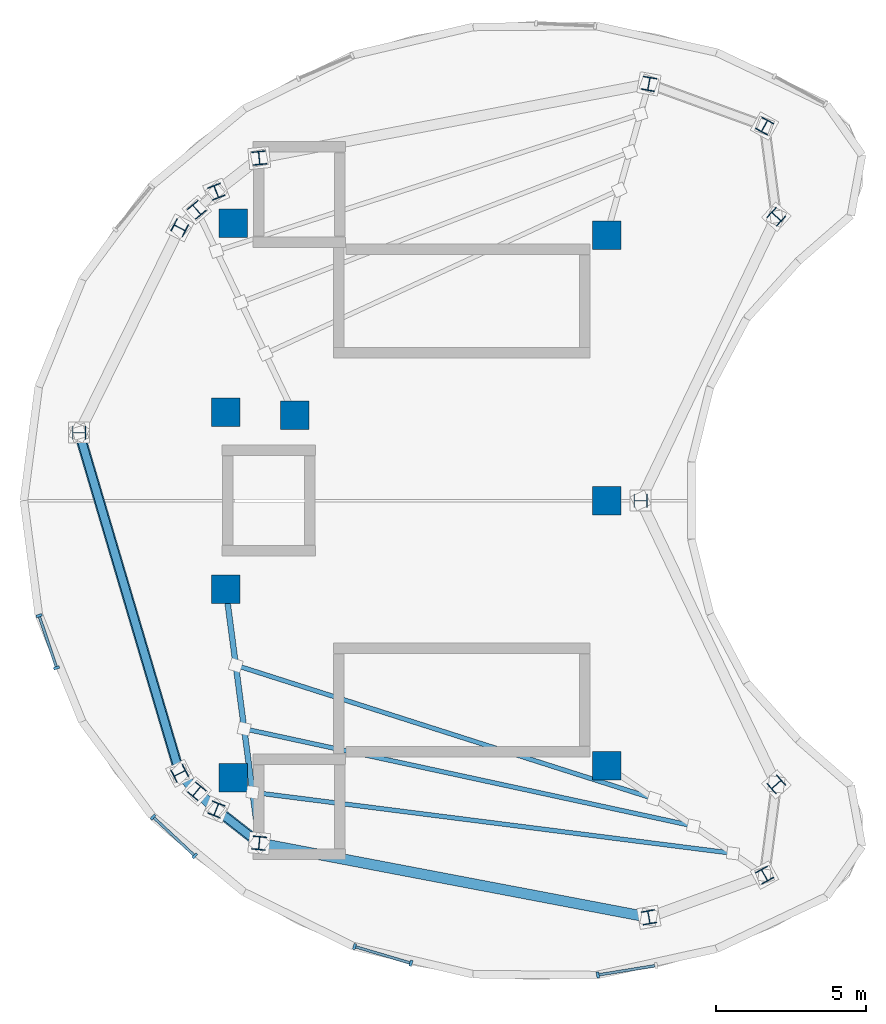
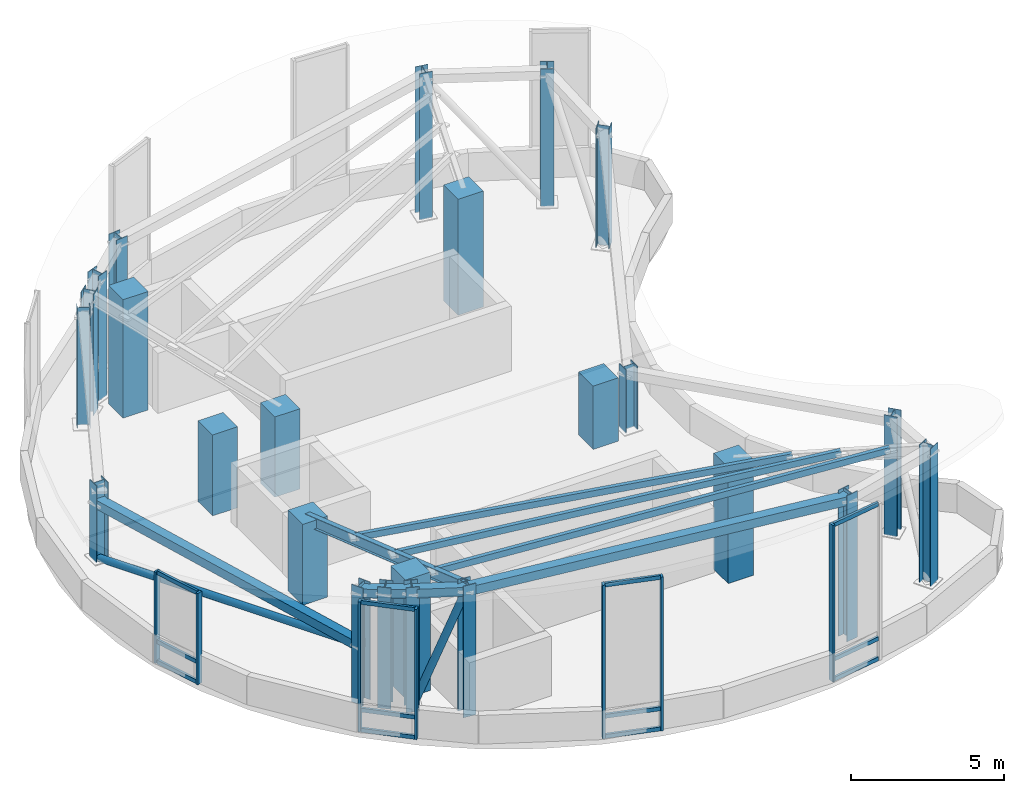
# One storey, part 1 of 4: 24 columns, 24 members, 6 beams, 4 elements without a shape of their own.
"""IFC4 building model written with IfcOpenShell, lengths in metres."""

from ifc_helpers import new_model, si_unit, direction, frame, origin, origin_2d, place, context, subcontext, project, spatial, rectangle, hollow_rectangle, hollow_circle, i_section, extrude, material, layer, layer_set, material_profile, profile_set, type_object, element, aggregate, save


model = new_model("IFC4")

# Units and contexts
model_context = context("Model", 3, precision=1e-05, world=origin(), true_north=direction((0.0, 1.0)))
body_context = subcontext(model_context, "Body", "Model", "MODEL_VIEW")
ifc_project = project(units=[si_unit("LENGTHUNIT", "METRE"), si_unit("AREAUNIT", "SQUARE_METRE"), si_unit("VOLUMEUNIT", "CUBIC_METRE"), si_unit("PLANEANGLEUNIT", "RADIAN"), si_unit("MASSUNIT", "GRAM", prefix="KILO")], contexts=[model_context])

# Site, building, storey
site_placement = place(None, origin())
site = spatial("IfcSite", under=ifc_project, at=site_placement, CompositionType="ELEMENT")
building_placement = place(site_placement, origin())
building = spatial("IfcBuilding", under=site, at=building_placement, Name="Korentha Bioscience Tower", CompositionType="ELEMENT")
storey_placement = place(building_placement, frame((0.0, 0.0, 343.800048828125)))
storey = spatial("IfcBuildingStorey", under=building, at=storey_placement, Name="RF", CompositionType="ELEMENT", Elevation=343.800048828125)

# Columns
ifc_material_1 = material(Name="Concrete C65", Category="concrete")
ifc_material_profile_1 = material_profile(ifc_material_1, rectangle(XDim=0.949951171875, YDim=0.949951171875, at=origin_2d()), Name="Concrete C65")
ifc_profile_set_1 = profile_set([ifc_material_profile_1], Name="Concrete C65 (COL-CP09)")
column_type_1 = type_object("IfcColumnType", Name="Core Pilaster Column RC 950x950", PredefinedType="PILASTER", material=ifc_profile_set_1)
column_1_placement = place(storey_placement, frame((37.550048828125, 35.85009765625, -0.00048828125), z_axis=(0.0, 0.0, 1.0), x_axis=(1.0, 0.0, 0.0)))
element("IfcColumn", 1, at=column_1_placement, inside=storey, type_object=column_type_1, Name="RF Core Pilaster CP-01", PredefinedType="PILASTER", context=body_context, shape_type="SweptSolid", body=[
    extrude(rectangle(XDim=0.949951171875, YDim=0.949951171875, at=origin_2d()), origin(), (0.0, 0.0, 1.0), 4.644287109375),
])
column_2_placement = place(storey_placement, frame((25.10009765625, 36.25, -0.00048828125), z_axis=(0.0, 0.0, 1.0), x_axis=(1.0, 0.0, 0.0)))
element("IfcColumn", 2, at=column_2_placement, inside=storey, type_object=column_type_1, Name="RF Core Pilaster CP-02", PredefinedType="PILASTER", context=body_context, shape_type="SweptSolid", body=[
    extrude(rectangle(XDim=0.949951171875, YDim=0.949951171875, at=origin_2d()), origin(), (0.0, 0.0, 1.0), 4.73974609375),
])
column_3_placement = place(storey_placement, frame((24.85009765625, 29.949951171875, -0.00048828125), z_axis=(0.0, 0.0, 1.0), x_axis=(1.0, 0.0, 0.0)))
element("IfcColumn", 3, at=column_3_placement, inside=storey, type_object=column_type_1, Name="RF Core Pilaster CP-03", PredefinedType="PILASTER", context=body_context, shape_type="SweptSolid", body=[
    extrude(rectangle(XDim=0.949951171875, YDim=0.949951171875, at=origin_2d()), origin(), (0.0, 0.0, 1.0), 3.23681640625),
])
column_4_placement = place(storey_placement, frame((27.14990234375, 29.85009765625, -0.00048828125), z_axis=(0.0, 0.0, 1.0), x_axis=(1.0, 0.0, 0.0)))
element("IfcColumn", 4, at=column_4_placement, inside=storey, type_object=column_type_1, Name="RF Core Pilaster CP-04", PredefinedType="PILASTER", context=body_context, shape_type="SweptSolid", body=[
    extrude(rectangle(XDim=0.949951171875, YDim=0.949951171875, at=origin_2d()), origin(), (0.0, 0.0, 1.0), 3.213134765625),
])
column_5_placement = place(storey_placement, frame((24.85009765625, 24.050048828125, -0.00048828125), z_axis=(0.0, 0.0, 1.0), x_axis=(1.0, 0.0, 0.0)))
element("IfcColumn", 5, at=column_5_placement, inside=storey, type_object=column_type_1, Name="RF Core Pilaster CP-05", PredefinedType="PILASTER", context=body_context, shape_type="SweptSolid", body=[
    extrude(rectangle(XDim=0.949951171875, YDim=0.949951171875, at=origin_2d()), origin(), (0.0, 0.0, 1.0), 3.23681640625),
])
column_6_placement = place(storey_placement, frame((25.10009765625, 17.75, -0.00048828125), z_axis=(0.0, 0.0, 1.0), x_axis=(1.0, 0.0, 0.0)))
element("IfcColumn", 6, at=column_6_placement, inside=storey, type_object=column_type_1, Name="RF Core Pilaster CP-06", PredefinedType="PILASTER", context=body_context, shape_type="SweptSolid", body=[
    extrude(rectangle(XDim=0.949951171875, YDim=0.949951171875, at=origin_2d()), origin(), (0.0, 0.0, 1.0), 4.73974609375),
])
column_7_placement = place(storey_placement, frame((37.550048828125, 18.14990234375, -0.00048828125), z_axis=(0.0, 0.0, 1.0), x_axis=(1.0, 0.0, 0.0)))
element("IfcColumn", 7, at=column_7_placement, inside=storey, type_object=column_type_1, Name="RF Core Pilaster CP-07", PredefinedType="PILASTER", context=body_context, shape_type="SweptSolid", body=[
    extrude(rectangle(XDim=0.949951171875, YDim=0.949951171875, at=origin_2d()), origin(), (0.0, 0.0, 1.0), 4.644287109375),
])
column_8_placement = place(storey_placement, frame((37.550048828125, 27.0, -0.00048828125), z_axis=(0.0, 0.0, 1.0), x_axis=(1.0, 0.0, 0.0)))
element("IfcColumn", 8, at=column_8_placement, inside=storey, type_object=column_type_1, Name="RF Core Pilaster CP-08", PredefinedType="PILASTER", context=body_context, shape_type="SweptSolid", body=[
    extrude(rectangle(XDim=0.949951171875, YDim=0.949951171875, at=origin_2d()), origin(), (0.0, 0.0, 1.0), 2.533203125),
])
ifc_material_2 = material(Name="Steel S355", Category="steel")
ifc_material_profile_2 = material_profile(ifc_material_2, i_section(OverallWidth=0.449951171875, OverallDepth=0.449951171875, WebThickness=0.02001953125, FlangeThickness=0.02490234375, at=origin_2d()), Name="Steel S355")
ifc_profile_set_2 = profile_set([ifc_material_profile_2], Name="Steel S355 (CF-C1)")
column_type_2 = type_object("IfcColumnType", Name="Crown Frame Post CS 450x226", PredefinedType="COLUMN", material=ifc_profile_set_2)
column_9_placement = place(storey_placement, frame((42.8193359375, 39.493896484375, -0.00048828125), z_axis=(0.0, 0.0, 1.0), x_axis=(-0.874535078577, 0.484962262797, 0.0)))
element("IfcColumn", 9, at=column_9_placement, inside=storey, type_object=column_type_2, Name="RF Crown Frame Post 01", PredefinedType="COLUMN", context=body_context, shape_type="SweptSolid", body=[
    extrude(i_section(OverallWidth=0.449951171875, OverallDepth=0.449951171875, WebThickness=0.02001953125, FlangeThickness=0.02490234375, at=origin_2d()), origin(), (0.0, 0.0, 1.0), 5.513427734375),
])
column_10_placement = place(storey_placement, frame((38.962646484375, 40.898193359375, -0.00048828125), z_axis=(0.0, 0.0, 1.0), x_axis=(-0.984868307662, 0.173304404339, 0.0)))
element("IfcColumn", 10, at=column_10_placement, inside=storey, type_object=column_type_2, Name="RF Crown Frame Post 02", PredefinedType="COLUMN", context=body_context, shape_type="SweptSolid", body=[
    extrude(i_section(OverallWidth=0.449951171875, OverallDepth=0.449951171875, WebThickness=0.02001953125, FlangeThickness=0.02490234375, at=origin_2d()), origin(), (0.0, 0.0, 1.0), 5.8486328125),
])
column_11_placement = place(storey_placement, frame((25.9658203125, 38.424560546875, -0.00048828125), z_axis=(0.0, 0.0, 1.0), x_axis=(0.995462868748, 0.095150811579, 0.0)))
element("IfcColumn", 11, at=column_11_placement, inside=storey, type_object=column_type_2, Name="RF Crown Frame Post 03", PredefinedType="COLUMN", context=body_context, shape_type="SweptSolid", body=[
    extrude(i_section(OverallWidth=0.449951171875, OverallDepth=0.449951171875, WebThickness=0.02001953125, FlangeThickness=0.02490234375, at=origin_2d()), origin(), (0.0, 0.0, 1.0), 5.258544921875),
])
column_12_placement = place(storey_placement, frame((24.53271484375, 37.302490234375, -0.00048828125), z_axis=(0.0, 0.0, 1.0), x_axis=(0.930225540858, 0.366988341962, 0.0)))
element("IfcColumn", 12, at=column_12_placement, inside=storey, type_object=column_type_2, Name="RF Crown Frame Post 04", PredefinedType="COLUMN", context=body_context, shape_type="SweptSolid", body=[
    extrude(i_section(OverallWidth=0.449951171875, OverallDepth=0.449951171875, WebThickness=0.02001953125, FlangeThickness=0.02490234375, at=origin_2d()), origin(), (0.0, 0.0, 1.0), 4.99072265625),
])
column_13_placement = place(storey_placement, frame((23.883056640625, 36.6953125, -0.00048828125), z_axis=(0.0, 0.0, 1.0), x_axis=(0.764246456939, 0.644924300253, 0.0)))
element("IfcColumn", 13, at=column_13_placement, inside=storey, type_object=column_type_2, Name="RF Crown Frame Post 05", PredefinedType="COLUMN", context=body_context, shape_type="SweptSolid", body=[
    extrude(i_section(OverallWidth=0.449951171875, OverallDepth=0.449951171875, WebThickness=0.02001953125, FlangeThickness=0.02490234375, at=origin_2d()), origin(), (0.0, 0.0, 1.0), 4.845947265625),
])
column_14_placement = place(storey_placement, frame((23.314697265625, 36.097900390625, -0.00048828125), z_axis=(0.0, 0.0, 1.0), x_axis=(0.453057191132, 0.891481453292, 0.0)))
element("IfcColumn", 14, at=column_14_placement, inside=storey, type_object=column_type_2, Name="RF Crown Frame Post 06", PredefinedType="COLUMN", context=body_context, shape_type="SweptSolid", body=[
    extrude(i_section(OverallWidth=0.449951171875, OverallDepth=0.449951171875, WebThickness=0.02001953125, FlangeThickness=0.02490234375, at=origin_2d()), origin(), (0.0, 0.0, 1.0), 4.703369140625),
])
column_15_placement = place(storey_placement, frame((19.96044921875, 29.26416015625, -0.00048828125), z_axis=(0.0, 0.0, 1.0), x_axis=(0.0, 1.0, 0.0)))
element("IfcColumn", 15, at=column_15_placement, inside=storey, type_object=column_type_2, Name="RF Crown Frame Post 07", PredefinedType="COLUMN", context=body_context, shape_type="SweptSolid", body=[
    extrude(i_section(OverallWidth=0.449951171875, OverallDepth=0.449951171875, WebThickness=0.02001953125, FlangeThickness=0.02490234375, at=origin_2d()), origin(), (0.0, 0.0, 1.0), 3.0732421875),
])
column_16_placement = place(storey_placement, frame((23.314697265625, 17.902099609375, -0.00048828125), z_axis=(0.0, 0.0, 1.0), x_axis=(-0.453057191132, 0.891481453292, 0.0)))
element("IfcColumn", 16, at=column_16_placement, inside=storey, type_object=column_type_2, Name="RF Crown Frame Post 08", PredefinedType="COLUMN", context=body_context, shape_type="SweptSolid", body=[
    extrude(i_section(OverallWidth=0.449951171875, OverallDepth=0.449951171875, WebThickness=0.02001953125, FlangeThickness=0.02490234375, at=origin_2d()), origin(), (0.0, 0.0, 1.0), 4.703369140625),
])
column_17_placement = place(storey_placement, frame((23.883056640625, 17.3046875, -0.00048828125), z_axis=(0.0, 0.0, 1.0), x_axis=(-0.764246456939, 0.644924300253, 0.0)))
element("IfcColumn", 17, at=column_17_placement, inside=storey, type_object=column_type_2, Name="RF Crown Frame Post 09", PredefinedType="COLUMN", context=body_context, shape_type="SweptSolid", body=[
    extrude(i_section(OverallWidth=0.449951171875, OverallDepth=0.449951171875, WebThickness=0.02001953125, FlangeThickness=0.02490234375, at=origin_2d()), origin(), (0.0, 0.0, 1.0), 4.845947265625),
])
column_18_placement = place(storey_placement, frame((24.53271484375, 16.697509765625, -0.00048828125), z_axis=(0.0, 0.0, 1.0), x_axis=(-0.930225540858, 0.366988341962, 0.0)))
element("IfcColumn", 18, at=column_18_placement, inside=storey, type_object=column_type_2, Name="RF Crown Frame Post 10", PredefinedType="COLUMN", context=body_context, shape_type="SweptSolid", body=[
    extrude(i_section(OverallWidth=0.449951171875, OverallDepth=0.449951171875, WebThickness=0.02001953125, FlangeThickness=0.02490234375, at=origin_2d()), origin(), (0.0, 0.0, 1.0), 4.99072265625),
])
column_19_placement = place(storey_placement, frame((25.9658203125, 15.575439453125, -0.00048828125), z_axis=(0.0, 0.0, 1.0), x_axis=(-0.995462868748, 0.095150811579, 0.0)))
element("IfcColumn", 19, at=column_19_placement, inside=storey, type_object=column_type_2, Name="RF Crown Frame Post 11", PredefinedType="COLUMN", context=body_context, shape_type="SweptSolid", body=[
    extrude(i_section(OverallWidth=0.449951171875, OverallDepth=0.449951171875, WebThickness=0.02001953125, FlangeThickness=0.02490234375, at=origin_2d()), origin(), (0.0, 0.0, 1.0), 5.258544921875),
])
column_20_placement = place(storey_placement, frame((38.962646484375, 13.101806640625, -0.00048828125), z_axis=(0.0, 0.0, 1.0), x_axis=(0.984868307662, 0.173304404339, 0.0)))
element("IfcColumn", 20, at=column_20_placement, inside=storey, type_object=column_type_2, Name="RF Crown Frame Post 12", PredefinedType="COLUMN", context=body_context, shape_type="SweptSolid", body=[
    extrude(i_section(OverallWidth=0.449951171875, OverallDepth=0.449951171875, WebThickness=0.02001953125, FlangeThickness=0.02490234375, at=origin_2d()), origin(), (0.0, 0.0, 1.0), 5.8486328125),
])
column_21_placement = place(storey_placement, frame((42.8193359375, 14.506103515625, -0.00048828125), z_axis=(0.0, 0.0, 1.0), x_axis=(0.874535078577, 0.484962262797, 0.0)))
element("IfcColumn", 21, at=column_21_placement, inside=storey, type_object=column_type_2, Name="RF Crown Frame Post 13", PredefinedType="COLUMN", context=body_context, shape_type="SweptSolid", body=[
    extrude(i_section(OverallWidth=0.449951171875, OverallDepth=0.449951171875, WebThickness=0.02001953125, FlangeThickness=0.02490234375, at=origin_2d()), origin(), (0.0, 0.0, 1.0), 5.513427734375),
])
column_22_placement = place(storey_placement, frame((43.214111328125, 17.532958984375, -0.00048828125), z_axis=(0.0, 0.0, 1.0), x_axis=(-0.669130606359, 0.743144825477, 0.0)))
element("IfcColumn", 22, at=column_22_placement, inside=storey, type_object=column_type_2, Name="RF Crown Frame Post 14", PredefinedType="COLUMN", context=body_context, shape_type="SweptSolid", body=[
    extrude(i_section(OverallWidth=0.449951171875, OverallDepth=0.449951171875, WebThickness=0.02001953125, FlangeThickness=0.02490234375, at=origin_2d()), origin(), (0.0, 0.0, 1.0), 4.79150390625),
])
column_23_placement = place(storey_placement, frame((38.6865234375, 27.0, -0.00048828125), z_axis=(0.0, 0.0, 1.0), x_axis=(0.0, 1.0, 0.0)))
element("IfcColumn", 23, at=column_23_placement, inside=storey, type_object=column_type_2, Name="RF Crown Frame Post 15", PredefinedType="COLUMN", context=body_context, shape_type="SweptSolid", body=[
    extrude(i_section(OverallWidth=0.449951171875, OverallDepth=0.449951171875, WebThickness=0.02001953125, FlangeThickness=0.02490234375, at=origin_2d()), origin(), (0.0, 0.0, 1.0), 2.533203125),
])
column_24_placement = place(storey_placement, frame((43.214111328125, 36.467041015625, -0.00048828125), z_axis=(0.0, 0.0, 1.0), x_axis=(0.669130606359, 0.743144825477, 0.0)))
element("IfcColumn", 24, at=column_24_placement, inside=storey, type_object=column_type_2, Name="RF Crown Frame Post 16", PredefinedType="COLUMN", context=body_context, shape_type="SweptSolid", body=[
    extrude(i_section(OverallWidth=0.449951171875, OverallDepth=0.449951171875, WebThickness=0.02001953125, FlangeThickness=0.02490234375, at=origin_2d()), origin(), (0.0, 0.0, 1.0), 4.79150390625),
])

# Members
ifc_material_profile_3 = material_profile(ifc_material_2, hollow_circle(Radius=0.136474609375, WallThickness=0.012451171875, at=origin_2d()), Name="Steel S355")
ifc_profile_set_3 = profile_set([ifc_material_profile_3], Name="Steel S355 (CF-BR273)")
member_type_1 = type_object("IfcMemberType", Name="Crown Frame Brace CHS 273x12.5", PredefinedType="BRACE", material=ifc_profile_set_3)
member_1_placement = place(storey_placement, frame((19.96044921875, 29.26416015625, 0.0), z_axis=(0.278236598646, -0.942488759327, 0.18520079297), x_axis=(0.959080174748, 0.283134629469, 0.0)))
element("IfcMember", 25, at=member_1_placement, inside=storey, type_object=member_type_1, Name="RF Crown Wind Brace 07", PredefinedType="BRACE", context=body_context, shape_type="SweptSolid", body=[
    extrude(hollow_circle(Radius=0.136474609375, WallThickness=0.012451171875, at=origin_2d()), origin(), (0.0, 0.0, 1.0), 12.055419921875),
])
member_2_placement = place(storey_placement, frame((24.53271484375, 16.697509765625, 0.0), z_axis=(0.271342301267, -0.212451314586, 0.938742666802), x_axis=(0.616481850919, 0.787369117688, 0.0)))
element("IfcMember", 26, at=member_2_placement, inside=storey, type_object=member_type_1, Name="RF Crown Wind Brace 10", PredefinedType="BRACE", context=body_context, shape_type="SweptSolid", body=[
    extrude(hollow_circle(Radius=0.136474609375, WallThickness=0.012451171875, at=origin_2d()), origin(), (0.0, 0.0, 1.0), 5.281494140625),
])

# Beams
ifc_material_profile_4 = material_profile(ifc_material_2, hollow_rectangle(XDim=0.35009765625, YDim=0.35009765625, WallThickness=0.02001953125, at=origin_2d()), Name="Steel S355")
ifc_profile_set_4 = profile_set([ifc_material_profile_4], Name="Steel S355 (CF-RB1)")
beam_type_1 = type_object("IfcBeamType", Name="Crown Ring Cap Beam SHS 350x350x20", PredefinedType="BEAM", material=ifc_profile_set_4)
beam_1_placement = place(storey_placement, frame((19.96044921875, 29.26416015625, 2.232666015625), z_axis=(0.283134629469, -0.959080174748, 0.0), x_axis=(0.959080174748, 0.283134629469, 0.0)))
element("IfcBeam", 27, at=beam_1_placement, inside=storey, type_object=beam_type_1, Name="RF Crown Ring Cap Beam 07", PredefinedType="BEAM", context=body_context, shape_type="SweptSolid", body=[
    extrude(hollow_rectangle(XDim=0.35009765625, YDim=0.35009765625, WallThickness=0.02001953125, at=origin_2d()), origin(), (0.0, 0.0, 1.0), 11.846923828125),
])
beam_2_placement = place(storey_placement, frame((23.314697265625, 17.902099609375, 4.40283203125), z_axis=(0.679192228581, -0.713910388031, 0.170381555623), x_axis=(0.724503966425, 0.68927063091, 0.0)))
element("IfcBeam", 28, at=beam_2_placement, inside=storey, type_object=beam_type_1, Name="RF Crown Ring Cap Beam 08", PredefinedType="BEAM", context=body_context, shape_type="SweptSolid", body=[
    extrude(hollow_rectangle(XDim=0.35009765625, YDim=0.35009765625, WallThickness=0.02001953125, at=origin_2d()), origin(), (0.0, 0.0, 1.0), 0.8369140625),
])
beam_3_placement = place(storey_placement, frame((23.883056640625, 17.3046875, 4.54541015625), z_axis=(0.721063387482, -0.673913808594, 0.16095890724), x_axis=(0.682816985006, 0.730589464054, 0.0)))
element("IfcBeam", 29, at=beam_3_placement, inside=storey, type_object=beam_type_1, Name="RF Crown Ring Cap Beam 09", PredefinedType="BEAM", context=body_context, shape_type="SweptSolid", body=[
    extrude(hollow_rectangle(XDim=0.35009765625, YDim=0.35009765625, WallThickness=0.02001953125, at=origin_2d()), origin(), (0.0, 0.0, 1.0), 0.90087890625),
])
beam_4_placement = place(storey_placement, frame((24.53271484375, 16.697509765625, 4.6904296875), z_axis=(0.778996153373, -0.609926119404, 0.145448004105), x_axis=(0.616481850919, 0.787369117688, 0.0)))
element("IfcBeam", 30, at=beam_4_placement, inside=storey, type_object=beam_type_1, Name="RF Crown Ring Cap Beam 10", PredefinedType="BEAM", context=body_context, shape_type="SweptSolid", body=[
    extrude(hollow_rectangle(XDim=0.35009765625, YDim=0.35009765625, WallThickness=0.02001953125, at=origin_2d()), origin(), (0.0, 0.0, 1.0), 1.839599609375),
])
beam_5_placement = place(storey_placement, frame((25.9658203125, 15.575439453125, 4.9580078125), z_axis=(0.981390025484, -0.186783953005, 0.044557522149), x_axis=(0.186969647443, 0.982365691041, 0.0)))
element("IfcBeam", 31, at=beam_5_placement, inside=storey, type_object=beam_type_1, Name="RF Crown Ring Cap Beam 11", PredefinedType="BEAM", context=body_context, shape_type="SweptSolid", body=[
    extrude(hollow_rectangle(XDim=0.35009765625, YDim=0.35009765625, WallThickness=0.02001953125, at=origin_2d()), origin(), (0.0, 0.0, 1.0), 13.2431640625),
])

# Members
ifc_material_profile_5 = material_profile(ifc_material_2, hollow_rectangle(XDim=0.14990234375, YDim=0.25, WallThickness=0.012451171875, at=origin_2d()), Name="Steel S355")
ifc_profile_set_5 = profile_set([ifc_material_profile_5], Name="Steel S355 (CR-P250)")
member_type_2 = type_object("IfcMemberType", Name="Crown Roof Secondary Purlin RHS 250x150x12.5", PredefinedType="PURLIN", material=ifc_profile_set_5)
member_3_placement = place(storey_placement, frame((25.184814453125, 21.5078125, 3.7177734375), z_axis=(0.950162070429, -0.303247460847, 0.072339597785), x_axis=(0.304044038213, 0.952657977885, 0.0)))
element("IfcMember", 32, at=member_3_placement, inside=storey, type_object=member_type_2, Name="RF Crest Roof Purlin 01-S", PredefinedType="PURLIN", context=body_context, shape_type="SweptSolid", body=[
    extrude(hollow_rectangle(XDim=0.14990234375, YDim=0.25, WallThickness=0.012451171875, at=origin_2d()), origin(), (0.0, 0.0, 1.0), 14.677490234375),
])
member_4_placement = place(storey_placement, frame((25.463623046875, 19.388916015625, 4.22314453125), z_axis=(0.976130065461, -0.211254165464, 0.050415998232), x_axis=(0.211523158416, 0.977372985842, 0.0)))
element("IfcMember", 33, at=member_4_placement, inside=storey, type_object=member_type_2, Name="RF Crest Roof Purlin 02-S", PredefinedType="PURLIN", context=body_context, shape_type="SweptSolid", body=[
    extrude(hollow_rectangle(XDim=0.14990234375, YDim=0.25, WallThickness=0.012451171875, at=origin_2d()), origin(), (0.0, 0.0, 1.0), 15.350830078125),
])
member_5_placement = place(storey_placement, frame((25.74267578125, 17.2705078125, 4.728759765625), z_axis=(0.991579712638, -0.125962608973, 0.030051532835), x_axis=(0.126019525604, 0.992027761288, 0.0)))
element("IfcMember", 34, at=member_5_placement, inside=storey, type_object=member_type_2, Name="RF Crest Roof Purlin 03-S", PredefinedType="PURLIN", context=body_context, shape_type="SweptSolid", body=[
    extrude(hollow_rectangle(XDim=0.14990234375, YDim=0.25, WallThickness=0.012451171875, at=origin_2d()), origin(), (0.0, 0.0, 1.0), 16.15869140625),
])

# Curtain wall, members
ifc_material_3 = material(Name="Thermally Broken Aluminium Frame", Category="aluminium")
ifc_layer = layer(ifc_material_3, 0.219970703125, Name="Thermally Broken Aluminium Frame")
ifc_layer_set = layer_set([ifc_layer], Name="Thermally Broken Aluminium Frame (CW-C1)")
curtain_wall_type = type_object("IfcCurtainWallType", Name="Stepped Glazed-Frame Crown Curtain Wall CW-C1", PredefinedType="USERDEFINED", material=ifc_layer_set)
curtain_wall_1_placement = place(storey_placement, origin())
curtain_wall_1 = element("IfcCurtainWall", 35, at=curtain_wall_1_placement, inside=storey, type_object=curtain_wall_type, Name="RF Crown Curtain Wall 05", ObjectType="CROWN_GLAZING", PredefinedType="USERDEFINED")
ifc_material_4 = material(Name="Anodised Aluminium 6063-T6", Category="aluminium")
ifc_material_profile_6 = material_profile(ifc_material_4, rectangle(XDim=0.090087890625, YDim=0.199951171875, at=origin_2d()), Name="Anodised Aluminium 6063-T6")
ifc_profile_set_6 = profile_set([ifc_material_profile_6], Name="Anodised Aluminium 6063-T6 (CW-MUL)")
member_type_3 = type_object("IfcMemberType", Name="Mullion RECT 90x200", PredefinedType="MULLION", material=ifc_profile_set_6)
member_6_placement = place(storey_placement, frame((18.62451171875, 23.16357421875, 0.0), z_axis=(0.0, 0.0, 1.0), x_axis=(0.316896858972, -0.948460004836, 0.0)))
member_6 = element("IfcMember", 36, at=member_6_placement, type_object=member_type_3, Name="CW-RF-CR-05 Mullion 1", PredefinedType="MULLION", context=body_context, shape_type="SweptSolid", body=[
    extrude(rectangle(XDim=0.090087890625, YDim=0.199951171875, at=origin_2d()), origin(), (0.0, 0.0, 1.0), 3.65576171875),
])
member_7_placement = place(storey_placement, frame((19.206787109375, 21.42041015625, 0.0), z_axis=(0.0, 0.0, 1.0), x_axis=(0.316896858972, -0.948460004836, 0.0)))
member_7 = element("IfcMember", 37, at=member_7_placement, type_object=member_type_3, Name="CW-RF-CR-05 Mullion 2", PredefinedType="MULLION", context=body_context, shape_type="SweptSolid", body=[
    extrude(rectangle(XDim=0.090087890625, YDim=0.199951171875, at=origin_2d()), origin(), (0.0, 0.0, 1.0), 3.65576171875),
])

curtain_wall_2_placement = place(storey_placement, origin())
curtain_wall_2 = element("IfcCurtainWall", 38, at=curtain_wall_2_placement, inside=storey, type_object=curtain_wall_type, Name="RF Crown Curtain Wall 06", ObjectType="CROWN_GLAZING", PredefinedType="USERDEFINED")
member_8_placement = place(storey_placement, frame((22.4267578125, 16.448486328125, 0.0), z_axis=(0.0, 0.0, 1.0), x_axis=(0.730505135592, -0.682907202242, 0.0)))
member_8 = element("IfcMember", 39, at=member_8_placement, type_object=member_type_3, Name="CW-RF-CR-06 Mullion 1", PredefinedType="MULLION", context=body_context, shape_type="SweptSolid", body=[
    extrude(rectangle(XDim=0.090087890625, YDim=0.199951171875, at=origin_2d()), origin(), (0.0, 0.0, 1.0), 5.204345703125),
])
member_9_placement = place(storey_placement, frame((23.814453125, 15.151123046875, 0.0), z_axis=(0.0, 0.0, 1.0), x_axis=(0.730505135592, -0.682907202242, 0.0)))
member_9 = element("IfcMember", 40, at=member_9_placement, type_object=member_type_3, Name="CW-RF-CR-06 Mullion 2", PredefinedType="MULLION", context=body_context, shape_type="SweptSolid", body=[
    extrude(rectangle(XDim=0.090087890625, YDim=0.199951171875, at=origin_2d()), origin(), (0.0, 0.0, 1.0), 5.204345703125),
])

curtain_wall_3_placement = place(storey_placement, origin())
curtain_wall_3 = element("IfcCurtainWall", 41, at=curtain_wall_3_placement, inside=storey, type_object=curtain_wall_type, Name="RF Crown Curtain Wall 07", ObjectType="CROWN_GLAZING", PredefinedType="USERDEFINED")
member_10_placement = place(storey_placement, frame((29.146240234375, 12.12646484375, 0.0), z_axis=(0.0, 0.0, 1.0), x_axis=(0.959016804336, -0.283349199754, 0.0)))
member_10 = element("IfcMember", 42, at=member_10_placement, type_object=member_type_3, Name="CW-RF-CR-07 Mullion 1", PredefinedType="MULLION", context=body_context, shape_type="SweptSolid", body=[
    extrude(rectangle(XDim=0.090087890625, YDim=0.199951171875, at=origin_2d()), origin(), (0.0, 0.0, 1.0), 6.14697265625),
])
member_11_placement = place(storey_placement, frame((31.02587890625, 11.571044921875, 0.0), z_axis=(0.0, 0.0, 1.0), x_axis=(0.959016804336, -0.283349199754, 0.0)))
member_11 = element("IfcMember", 43, at=member_11_placement, type_object=member_type_3, Name="CW-RF-CR-07 Mullion 2", PredefinedType="MULLION", context=body_context, shape_type="SweptSolid", body=[
    extrude(rectangle(XDim=0.090087890625, YDim=0.199951171875, at=origin_2d()), origin(), (0.0, 0.0, 1.0), 6.14697265625),
])

# Curtain wall, member
curtain_wall_4_placement = place(storey_placement, origin())
curtain_wall_4 = element("IfcCurtainWall", 44, at=curtain_wall_4_placement, inside=storey, type_object=curtain_wall_type, Name="RF Crown Curtain Wall 08", ObjectType="CROWN_GLAZING", PredefinedType="USERDEFINED")
member_12_placement = place(storey_placement, frame((37.259765625, 11.177978515625, 0.0), z_axis=(0.0, 0.0, 1.0), x_axis=(0.98717651646, 0.1596324696, 0.0)))
member_12 = element("IfcMember", 45, at=member_12_placement, type_object=member_type_3, Name="CW-RF-CR-08 Mullion 1", PredefinedType="MULLION", context=body_context, shape_type="SweptSolid", body=[
    extrude(rectangle(XDim=0.090087890625, YDim=0.199951171875, at=origin_2d()), origin(), (0.0, 0.0, 1.0), 6.26953125),
])

# Beam
ifc_material_profile_7 = material_profile(ifc_material_2, i_section(OverallWidth=0.18994140625, OverallDepth=0.45703125, WebThickness=0.009033203125, FlangeThickness=0.014404296875, at=origin_2d()), Name="Steel S355")
ifc_profile_set_7 = profile_set([ifc_material_profile_7], Name="Steel S355 (CR-B460)")
beam_type_2 = type_object("IfcBeamType", Name="Sloped Crest Roof Rafter Beam W460x74", PredefinedType="BEAM", material=ifc_profile_set_7)
beam_6_placement = place(storey_placement, frame((24.85009765625, 24.050048828125, 3.0078125), z_axis=(0.127023721547, -0.964824381258, 0.230171430664), x_axis=(0.991444571206, 0.130528396244, 0.0)))
element("IfcBeam", 46, at=beam_6_placement, inside=storey, type_object=beam_type_2, Name="RF Sloped Crest Rafter 1-S", PredefinedType="BEAM", context=body_context, shape_type="SweptSolid", body=[
    extrude(i_section(OverallWidth=0.18994140625, OverallDepth=0.45703125, WebThickness=0.009033203125, FlangeThickness=0.014404296875, at=origin_2d()), origin(), (0.0, 0.0, 1.0), 8.78369140625),
])

# Member
ifc_material_profile_8 = material_profile(ifc_material_4, rectangle(XDim=0.090087890625, YDim=0.159912109375, at=origin_2d()), Name="Anodised Aluminium 6063-T6")
ifc_profile_set_8 = profile_set([ifc_material_profile_8], Name="Anodised Aluminium 6063-T6 (CW-TRN)")
member_type_4 = type_object("IfcMemberType", Name="Transom RECT 90x160", PredefinedType="USERDEFINED", material=ifc_profile_set_8)
member_13_placement = place(storey_placement, frame((18.638671875, 23.120849609375, 0.044921875), z_axis=(0.316814398877, -0.948487552193, 0.0), x_axis=(0.948487552193, 0.316814398877, 0.0)))
member_13 = element("IfcMember", 47, at=member_13_placement, type_object=member_type_4, Name="CW-RF-CR-05 Bay 1 Transom 1", ObjectType="TRANSOM", PredefinedType="USERDEFINED", context=body_context, shape_type="SweptSolid", body=[
    extrude(rectangle(XDim=0.090087890625, YDim=0.159912109375, at=origin_2d()), origin(), (0.0, 0.0, 1.0), 1.747802734375),
])

member_14_placement = place(storey_placement, frame((18.638671875, 23.120849609375, 0.849853515625), z_axis=(0.316814398877, -0.948487552193, 0.0), x_axis=(0.948487552193, 0.316814398877, 0.0)))
member_14 = element("IfcMember", 48, at=member_14_placement, type_object=member_type_4, Name="CW-RF-CR-05 Bay 1 Transom 2", ObjectType="TRANSOM", PredefinedType="USERDEFINED", context=body_context, shape_type="SweptSolid", body=[
    extrude(rectangle(XDim=0.090087890625, YDim=0.159912109375, at=origin_2d()), origin(), (0.0, 0.0, 1.0), 1.747802734375),
])

member_15_placement = place(storey_placement, frame((18.638671875, 23.120849609375, 3.61083984375), z_axis=(0.316814398877, -0.948487552193, 0.0), x_axis=(0.948487552193, 0.316814398877, 0.0)))
member_15 = element("IfcMember", 49, at=member_15_placement, type_object=member_type_4, Name="CW-RF-CR-05 Bay 1 Transom 3", ObjectType="TRANSOM", PredefinedType="USERDEFINED", context=body_context, shape_type="SweptSolid", body=[
    extrude(rectangle(XDim=0.090087890625, YDim=0.159912109375, at=origin_2d()), origin(), (0.0, 0.0, 1.0), 1.747802734375),
])

aggregate(curtain_wall_1, [member_6, member_7, member_13, member_14, member_15])

member_16_placement = place(storey_placement, frame((22.459716796875, 16.417724609375, 0.044921875), z_axis=(0.730453775797, -0.682962137621, 0.0), x_axis=(0.682962137621, 0.730453775797, 0.0)))
member_16 = element("IfcMember", 50, at=member_16_placement, type_object=member_type_4, Name="CW-RF-CR-06 Bay 1 Transom 1", ObjectType="TRANSOM", PredefinedType="USERDEFINED", context=body_context, shape_type="SweptSolid", body=[
    extrude(rectangle(XDim=0.090087890625, YDim=0.159912109375, at=origin_2d()), origin(), (0.0, 0.0, 1.0), 1.8095703125),
])

member_17_placement = place(storey_placement, frame((22.459716796875, 16.417724609375, 0.849853515625), z_axis=(0.730453775797, -0.682962137621, 0.0), x_axis=(0.682962137621, 0.730453775797, 0.0)))
member_17 = element("IfcMember", 51, at=member_17_placement, type_object=member_type_4, Name="CW-RF-CR-06 Bay 1 Transom 2", ObjectType="TRANSOM", PredefinedType="USERDEFINED", context=body_context, shape_type="SweptSolid", body=[
    extrude(rectangle(XDim=0.090087890625, YDim=0.159912109375, at=origin_2d()), origin(), (0.0, 0.0, 1.0), 1.8095703125),
])

member_18_placement = place(storey_placement, frame((22.459716796875, 16.417724609375, 5.159423828125), z_axis=(0.730453775797, -0.682962137621, 0.0), x_axis=(0.682962137621, 0.730453775797, 0.0)))
member_18 = element("IfcMember", 52, at=member_18_placement, type_object=member_type_4, Name="CW-RF-CR-06 Bay 1 Transom 3", ObjectType="TRANSOM", PredefinedType="USERDEFINED", context=body_context, shape_type="SweptSolid", body=[
    extrude(rectangle(XDim=0.090087890625, YDim=0.159912109375, at=origin_2d()), origin(), (0.0, 0.0, 1.0), 1.8095703125),
])

aggregate(curtain_wall_2, [member_8, member_9, member_16, member_17, member_18])

member_19_placement = place(storey_placement, frame((29.189208984375, 12.11376953125, 0.044921875), z_axis=(0.959007227761, -0.283381610381, 0.0), x_axis=(0.283381610381, 0.959007227761, 0.0)))
member_19 = element("IfcMember", 53, at=member_19_placement, type_object=member_type_4, Name="CW-RF-CR-07 Bay 1 Transom 1", ObjectType="TRANSOM", PredefinedType="USERDEFINED", context=body_context, shape_type="SweptSolid", body=[
    extrude(rectangle(XDim=0.090087890625, YDim=0.159912109375, at=origin_2d()), origin(), (0.0, 0.0, 1.0), 1.870361328125),
])

member_20_placement = place(storey_placement, frame((29.189208984375, 12.11376953125, 0.849853515625), z_axis=(0.959007227761, -0.283381610381, 0.0), x_axis=(0.283381610381, 0.959007227761, 0.0)))
member_20 = element("IfcMember", 54, at=member_20_placement, type_object=member_type_4, Name="CW-RF-CR-07 Bay 1 Transom 2", ObjectType="TRANSOM", PredefinedType="USERDEFINED", context=body_context, shape_type="SweptSolid", body=[
    extrude(rectangle(XDim=0.090087890625, YDim=0.159912109375, at=origin_2d()), origin(), (0.0, 0.0, 1.0), 1.870361328125),
])

member_21_placement = place(storey_placement, frame((29.189208984375, 12.11376953125, 6.10205078125), z_axis=(0.959007227761, -0.283381610381, 0.0), x_axis=(0.283381610381, 0.959007227761, 0.0)))
member_21 = element("IfcMember", 55, at=member_21_placement, type_object=member_type_4, Name="CW-RF-CR-07 Bay 1 Transom 3", ObjectType="TRANSOM", PredefinedType="USERDEFINED", context=body_context, shape_type="SweptSolid", body=[
    extrude(rectangle(XDim=0.090087890625, YDim=0.159912109375, at=origin_2d()), origin(), (0.0, 0.0, 1.0), 1.870361328125),
])

aggregate(curtain_wall_3, [member_10, member_11, member_19, member_20, member_21])

member_22_placement = place(storey_placement, frame((37.30419921875, 11.18505859375, 0.044921875), z_axis=(0.987169205848, 0.159677672281, 0.0), x_axis=(-0.159677672281, 0.987169205848, 0.0)))
member_22 = element("IfcMember", 56, at=member_22_placement, type_object=member_type_4, Name="CW-RF-CR-08 Bay 1 Transom 1", ObjectType="TRANSOM", PredefinedType="USERDEFINED", context=body_context, shape_type="SweptSolid", body=[
    extrude(rectangle(XDim=0.090087890625, YDim=0.159912109375, at=origin_2d()), origin(), (0.0, 0.0, 1.0), 1.879150390625),
])

member_23_placement = place(storey_placement, frame((37.30419921875, 11.18505859375, 0.849853515625), z_axis=(0.987169205848, 0.159677672281, 0.0), x_axis=(-0.159677672281, 0.987169205848, 0.0)))
member_23 = element("IfcMember", 57, at=member_23_placement, type_object=member_type_4, Name="CW-RF-CR-08 Bay 1 Transom 2", ObjectType="TRANSOM", PredefinedType="USERDEFINED", context=body_context, shape_type="SweptSolid", body=[
    extrude(rectangle(XDim=0.090087890625, YDim=0.159912109375, at=origin_2d()), origin(), (0.0, 0.0, 1.0), 1.879150390625),
])

member_24_placement = place(storey_placement, frame((37.30419921875, 11.18505859375, 6.224609375), z_axis=(0.987169205848, 0.159677672281, 0.0), x_axis=(-0.159677672281, 0.987169205848, 0.0)))
member_24 = element("IfcMember", 58, at=member_24_placement, type_object=member_type_4, Name="CW-RF-CR-08 Bay 1 Transom 3", ObjectType="TRANSOM", PredefinedType="USERDEFINED", context=body_context, shape_type="SweptSolid", body=[
    extrude(rectangle(XDim=0.090087890625, YDim=0.159912109375, at=origin_2d()), origin(), (0.0, 0.0, 1.0), 1.879150390625),
])

aggregate(curtain_wall_4, [member_12, member_22, member_23, member_24])

save(model, "model.ifc")
